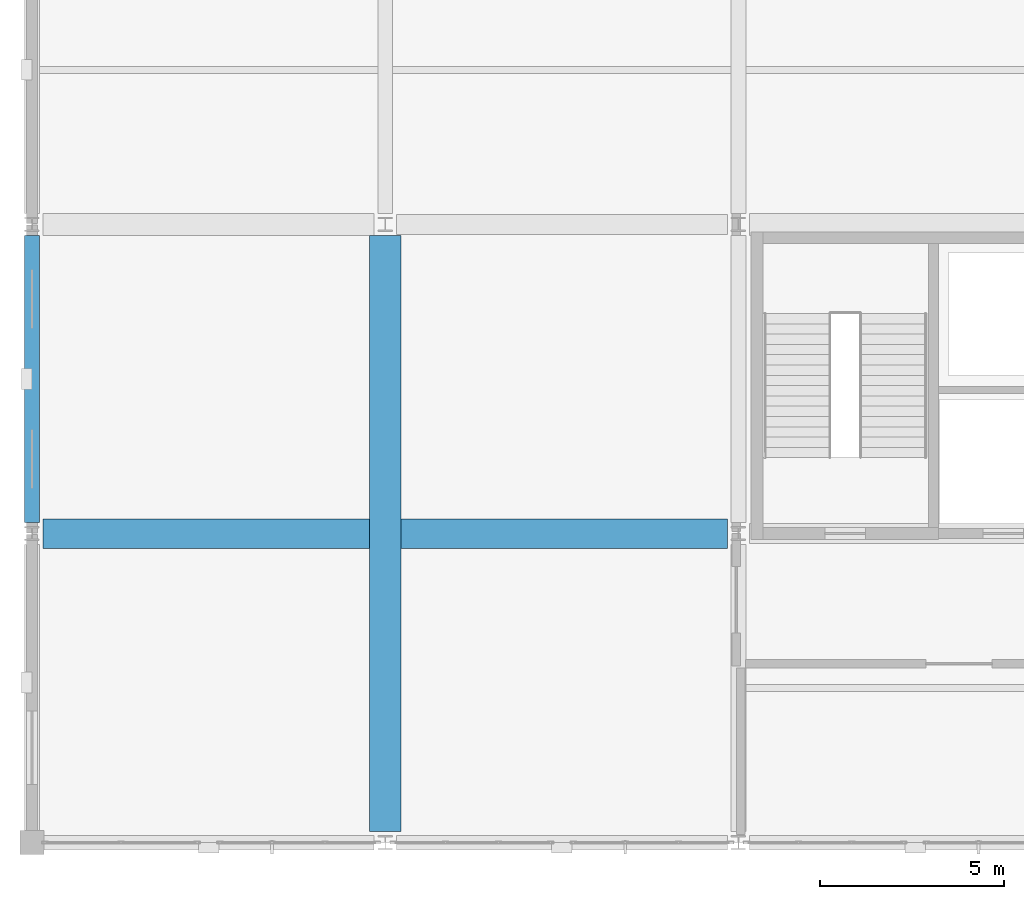
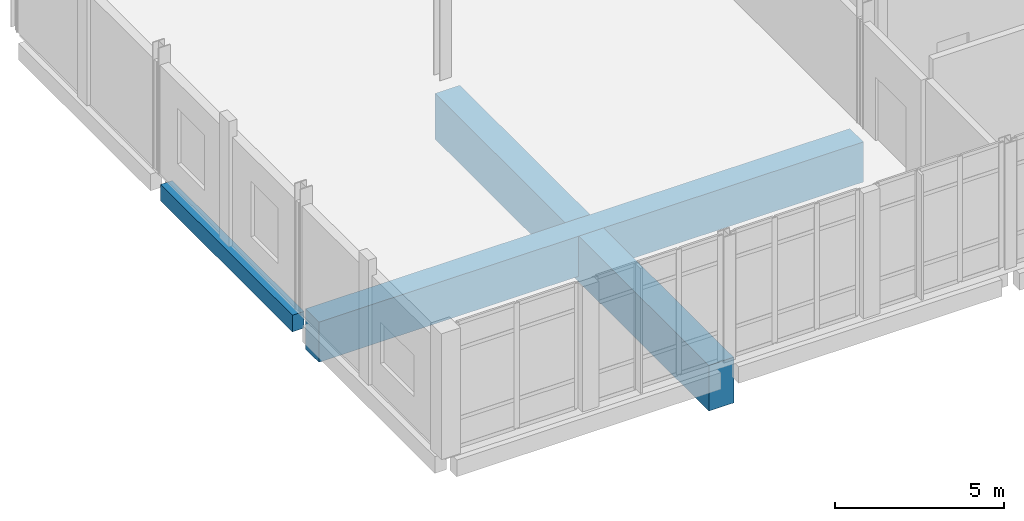
# One storey, part 15 of 102: 3 beams.
"""IFC4 building model written with IfcOpenShell, lengths in metres."""

import ifcopenshell
import ifcopenshell.guid

model = None  # the IFC model being written
_history = None  # IfcOwnerHistory: only IFC2X3 demands one
_inside = {}  # id of a spatial element -> (the spatial element, [elements in it])
_under = {}  # id of a project, library or spatial element -> (it, [spatial elements below it])
_declared = {}  # id of a project -> (the project, [libraries it declares])
_typed = {}  # id of a type object -> (the type object, [elements of that type])
_made_of = {}  # id of a material, layer set ... -> (it, [elements and type objects made of it])


def new_model(schema):
    """Start an empty IFC model of exactly this schema.

    Asked for "IFC4X3", IfcOpenShell would pick the latest addendum, in which some entities
    have other attributes; the version numbers below select the first issue.
    IFC2X3 requires an IfcOwnerHistory on every rooted entity: one is made here for all.
    """
    global model, _history
    if schema == "IFC4X3":
        model = ifcopenshell.file(schema_version=(4, 3, 0, 0))
    else:
        model = ifcopenshell.file(schema=schema)
    _inside.clear()
    _under.clear()
    _declared.clear()
    _typed.clear()
    _made_of.clear()
    _history = None
    if model.schema == "IFC2X3":
        org = make("IfcOrganization", Name="unknown")
        user = make(
            "IfcPersonAndOrganization",
            ThePerson=make("IfcPerson", FamilyName="unknown"),
            TheOrganization=org,
        )
        app = make(
            "IfcApplication",
            ApplicationDeveloper=org,
            Version="unknown",
            ApplicationFullName="unknown",
            ApplicationIdentifier="unknown",
        )
        _history = make(
            "IfcOwnerHistory",
            OwningUser=user,
            OwningApplication=app,
            ChangeAction="ADDED",
            CreationDate=0,
        )
    return model


def make(cls, **values):
    """One entity of the class cls with the attributes given. An attribute that is None is left unset."""
    return model.create_entity(
        cls, **{name: value for name, value in values.items() if value is not None}
    )


def rooted(cls, **values):
    """An entity with a GlobalId (a new one), such as an element, a storey or a relation."""
    return make(cls, GlobalId=ifcopenshell.guid.new(), OwnerHistory=_history, **values)


def si_unit(unit_type, name, prefix=None):
    """IfcSIUnit, for example si_unit("LENGTHUNIT", "METRE", prefix="MILLI")."""
    return make("IfcSIUnit", UnitType=unit_type, Prefix=prefix, Name=name)


def assignment(units):
    """IfcUnitAssignment: the units of a project."""
    return None if units is None else make("IfcUnitAssignment", Units=units)


def point(xyz):
    """IfcCartesianPoint."""
    return None if xyz is None else make("IfcCartesianPoint", Coordinates=xyz)


def direction(xyz):
    """IfcDirection."""
    return None if xyz is None else make("IfcDirection", DirectionRatios=xyz)


def frame(location, z_axis=None, x_axis=None):
    """IfcAxis2Placement3D, a coordinate frame: its origin and axes. An axis left out is left unset."""
    return make(
        "IfcAxis2Placement3D",
        Location=point(location),
        Axis=direction(z_axis),
        RefDirection=direction(x_axis),
    )


def frame_2d(location, x_axis=None):
    """IfcAxis2Placement2D, a coordinate frame in the plane: its origin and x axis."""
    return make(
        "IfcAxis2Placement2D", Location=point(location), RefDirection=direction(x_axis)
    )


def origin():
    """The frame at (0, 0, 0) with its axes left unset."""
    return frame((0.0, 0.0, 0.0))


def origin_2d():
    """The frame at (0, 0) in the plane with its x axis left unset."""
    return frame_2d((0.0, 0.0))


def place(relative_to, where):
    """IfcLocalPlacement: puts the frame where relative to a parent placement (None: the world)."""
    return make(
        "IfcLocalPlacement", PlacementRelTo=relative_to, RelativePlacement=where
    )


def context(
    kind, dimensions, precision=None, world=None, true_north=None, identifier=None
):
    """IfcGeometricRepresentationContext, for example the 3D "Model" context."""
    return make(
        "IfcGeometricRepresentationContext",
        ContextIdentifier=identifier,
        ContextType=kind,
        CoordinateSpaceDimension=dimensions,
        Precision=precision,
        WorldCoordinateSystem=world,
        TrueNorth=true_north,
    )


def subcontext(parent, identifier, kind, view, scale=None):
    """IfcGeometricRepresentationSubContext, for example "Body" below "Model"."""
    return make(
        "IfcGeometricRepresentationSubContext",
        ContextIdentifier=identifier,
        ContextType=kind,
        ParentContext=parent,
        TargetScale=scale,
        TargetView=view,
    )


def project(units=None, contexts=None):
    """IfcProject with its units and contexts."""
    return rooted(
        "IfcProject",
        Name="project",
        RepresentationContexts=contexts,
        UnitsInContext=assignment(units),
    )


def spatial(cls, under=None, at=None, **own):
    """A site, building, storey or space (cls), placed at a placement, below another one or the project."""
    s = rooted(cls, ObjectPlacement=at, **own)
    if under is not None:
        _under.setdefault(under.id(), (under, []))[1].append(s)
    return s


def profile(cls, at=None, kind="AREA", **sizes):
    """A parametric profile (cls). Its sizes go by their IFC names, for example OverallWidth=200.0."""
    return make(cls, ProfileType=kind, Position=at, **sizes)


def rectangle(**sizes):
    """IfcRectangleProfileDef."""
    return profile("IfcRectangleProfileDef", **sizes)


def extrude(swept, where, along, depth):
    """IfcExtrudedAreaSolid: the profile swept, set in the frame where, extruded along a direction by depth."""
    return make(
        "IfcExtrudedAreaSolid",
        SweptArea=swept,
        Position=where,
        ExtrudedDirection=direction(along),
        Depth=depth,
    )


def shape(context_of_items, identifier, shape_type, items):
    """IfcShapeRepresentation: the items that make up one representation, for example the "Body"."""
    return make(
        "IfcShapeRepresentation",
        ContextOfItems=context_of_items,
        RepresentationIdentifier=identifier,
        RepresentationType=shape_type,
        Items=items,
    )


def material(Name=None, Category=None):
    """IfcMaterial."""
    return make("IfcMaterial", Name=Name, Category=Category)


def material_profile(
    of_material, cross_section, Name=None, Category=None, Priority=None
):
    """IfcMaterialProfile: a cross section and its material."""
    return make(
        "IfcMaterialProfile",
        Name=Name,
        Material=of_material,
        Profile=cross_section,
        Priority=Priority,
        Category=Category,
    )


def profile_set(profiles, Name=None, composite=None):
    """IfcMaterialProfileSet."""
    return make(
        "IfcMaterialProfileSet",
        Name=Name,
        MaterialProfiles=profiles,
        CompositeProfile=composite,
    )


def made_of(thing, what):
    """Note that an element or type object is made of a material, layer set ...; save() writes the relation."""
    if what is not None:
        _made_of.setdefault(what.id(), (what, []))[1].append(thing)
    return thing


def type_object(cls, material=None, **own):
    """A type object (cls), such as IfcWallType, which elements share."""
    return made_of(rooted(cls, **own), material)


def element(
    cls,
    number,
    at=None,
    inside=None,
    cuts=None,
    type_object=None,
    material=None,
    context=None,
    identifier="Body",
    shape_type=None,
    held_by="IfcProductDefinitionShape",
    body=None,
    shapes=None,
    **own,
):
    """One element of the class cls, such as IfcWall. Its Tag is "e" and its number.

    at: its placement. inside: the storey or other place that contains it. cuts: it is an
    opening in that element (IfcRelVoidsElement). A single representation is given by context,
    identifier, shape_type and body (its items); several are given by shapes. held_by: the class
    of the entity that holds the representations. save() writes the other relations.
    """
    e = rooted(cls, Tag="e%d" % number, ObjectPlacement=at, **own)
    if body is not None:
        shapes = [shape(context, identifier, shape_type, body)]
    if shapes is not None:
        e.Representation = make(held_by, Representations=shapes)
    if inside is not None:
        _inside.setdefault(inside.id(), (inside, []))[1].append(e)
    if cuts is not None:
        rooted(
            "IfcRelVoidsElement", RelatingBuildingElement=cuts, RelatedOpeningElement=e
        )
    if type_object is not None:
        _typed.setdefault(type_object.id(), (type_object, []))[1].append(e)
    return made_of(e, material)


def aggregate(whole, parts):
    """IfcRelAggregates: a whole, such as a stair, and the parts it consists of."""
    return rooted("IfcRelAggregates", RelatingObject=whole, RelatedObjects=parts)


def save(model, path):
    """Write the relations noted so far, then the file.

    IfcRelAggregates (storeys below a building ...), IfcRelContainedInSpatialStructure (elements
    in a storey), IfcRelDefinesByType, IfcRelAssociatesMaterial and IfcRelDeclares: one each for
    every whole, place, type object, material and project.
    """
    for whole, parts in _under.values():
        aggregate(whole, parts)
    for where, things in _inside.values():
        rooted(
            "IfcRelContainedInSpatialStructure",
            RelatedElements=things,
            RelatingStructure=where,
        )
    for kind, things in _typed.values():
        rooted("IfcRelDefinesByType", RelatedObjects=things, RelatingType=kind)
    for what, things in _made_of.values():
        rooted("IfcRelAssociatesMaterial", RelatedObjects=things, RelatingMaterial=what)
    for by, libraries in _declared.values():
        rooted("IfcRelDeclares", RelatingContext=by, RelatedDefinitions=libraries)
    model.write(path)


model = new_model("IFC4")

# Units and contexts
model_context = context("Model", 3, precision=1e-05, world=origin(), true_north=direction((0.0, 1.0)))
body_context = subcontext(model_context, "Body", "Model", "MODEL_VIEW")
ifc_project = project(units=[si_unit("LENGTHUNIT", "METRE"), si_unit("AREAUNIT", "SQUARE_METRE"), si_unit("VOLUMEUNIT", "CUBIC_METRE"), si_unit("PLANEANGLEUNIT", "RADIAN"), si_unit("MASSUNIT", "GRAM", prefix="KILO")], contexts=[model_context])

# Site, building, storey
site_placement = place(None, origin())
site = spatial("IfcSite", under=ifc_project, at=site_placement, CompositionType="ELEMENT")
building_placement = place(site_placement, origin())
building = spatial("IfcBuilding", under=site, at=building_placement, Name="Lornevale Opera House", CompositionType="ELEMENT")
storey_placement = place(building_placement, frame((0.0, 0.0, 5.39990234375)))
storey = spatial("IfcBuildingStorey", under=building, at=storey_placement, Name="L02", CompositionType="ELEMENT", Elevation=5.39990234375)

# Beams
ifc_material_1 = material(Name="Concrete 35 MPa (CSA A23.1 N)", Category="concrete")
ifc_material_profile_1 = material_profile(ifc_material_1, rectangle(XDim=0.39990234375, YDim=0.60009765625, at=origin_2d()), Name="RC400x600")
ifc_profile_set_1 = profile_set([ifc_material_profile_1], Name="Concrete 35 MPa (CSA A23.1 N)")
beam_type_1 = type_object("IfcBeamType", Name="Concrete Spandrel Beam 400x600", PredefinedType="SPANDREL", material=ifc_profile_set_1)
beam_1_placement = place(storey_placement, frame((0.0, 8.699951171875, -0.599853515625), z_axis=(0.0, 1.0, 0.0), x_axis=(-1.0, 0.0, 0.0)))
element("IfcBeam", 1, at=beam_1_placement, inside=storey, type_object=beam_type_1, Name="Concrete Spandrel Beam 400x600 1827", PredefinedType="SPANDREL", context=body_context, shape_type="SweptSolid", body=[
    extrude(rectangle(XDim=0.39990234375, YDim=0.60009765625, at=origin_2d()), origin(), (0.0, 0.0, 1.0), 7.800048828125),
])
ifc_material_2 = material(Name="Concrete 40 MPa (CSA A23.1 C-1)", Category="concrete")
ifc_material_profile_2 = material_profile(ifc_material_2, rectangle(XDim=0.800048828125, YDim=1.449951171875, at=origin_2d()), Name="RC800x1450")
ifc_profile_set_2 = profile_set([ifc_material_profile_2], Name="Concrete 40 MPa (CSA A23.1 C-1)")
beam_type_2 = type_object("IfcBeamType", Name="Concrete Transfer Girder 800x1450", PredefinedType="USERDEFINED", material=ifc_profile_set_2)
beam_2_placement = place(storey_placement, frame((0.300048828125, 8.39990234375, -1.02490234375), z_axis=(1.0, 0.0, 0.0), x_axis=(0.0, 1.0, 0.0)))
element("IfcBeam", 2, at=beam_2_placement, inside=storey, type_object=beam_type_2, Name="Concrete Transfer Girder 800x1450 1675", ObjectType="TRANSFER GIRDER", PredefinedType="USERDEFINED", context=body_context, shape_type="SweptSolid", body=[
    extrude(rectangle(XDim=0.800048828125, YDim=1.449951171875, at=origin_2d()), origin(), (0.0, 0.0, 1.0), 18.599853515625),
])
ifc_material_profile_3 = material_profile(ifc_material_2, rectangle(XDim=0.85009765625, YDim=1.64990234375, at=origin_2d()), Name="RC850x1650")
ifc_profile_set_3 = profile_set([ifc_material_profile_3], Name="Concrete 40 MPa (CSA A23.1 C-1)")
beam_type_3 = type_object("IfcBeamType", Name="Concrete Transfer Girder 850x1650", PredefinedType="USERDEFINED", material=ifc_profile_set_3)
beam_3_placement = place(storey_placement, frame((9.60009765625, 0.300048828125, -1.125), z_axis=(0.0, 1.0, 0.0), x_axis=(-1.0, 0.0, 0.0)))
element("IfcBeam", 3, at=beam_3_placement, inside=storey, type_object=beam_type_3, Name="Concrete Transfer Girder 850x1650 1833", ObjectType="TRANSFER GIRDER", PredefinedType="USERDEFINED", context=body_context, shape_type="SweptSolid", body=[
    extrude(rectangle(XDim=0.85009765625, YDim=1.64990234375, at=origin_2d()), origin(), (0.0, 0.0, 1.0), 16.199951171875),
])

save(model, "model.ifc")
